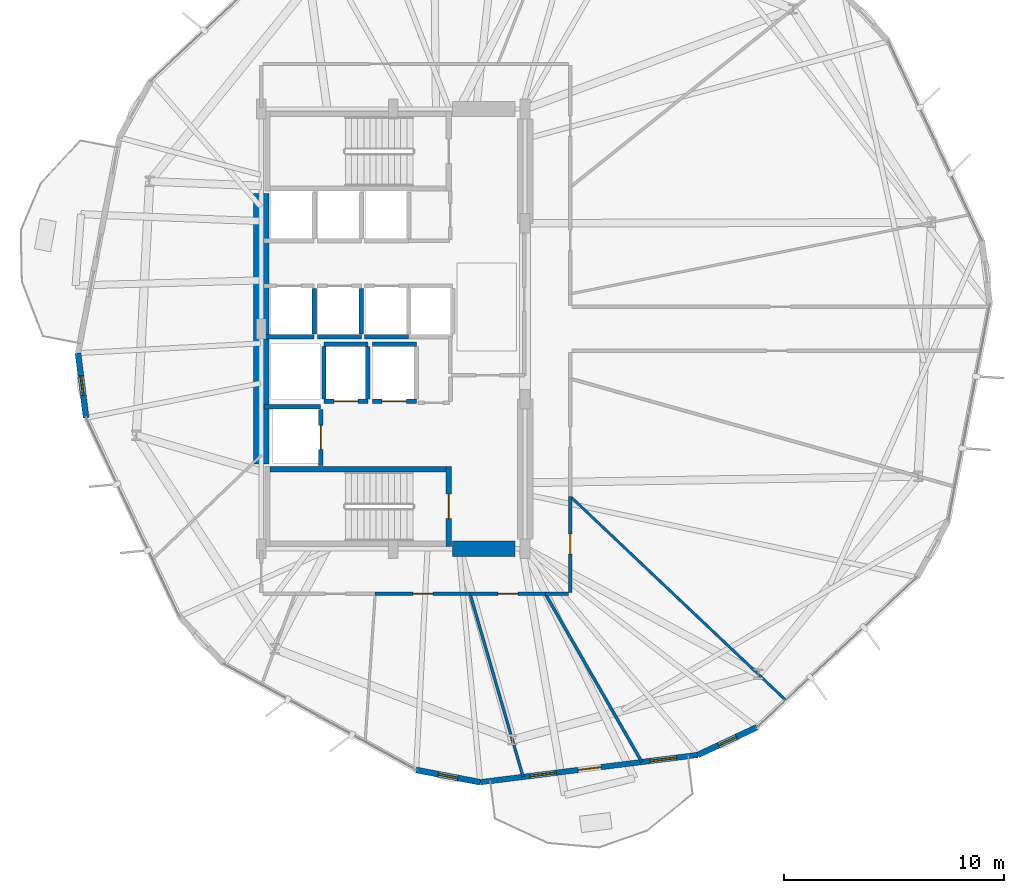
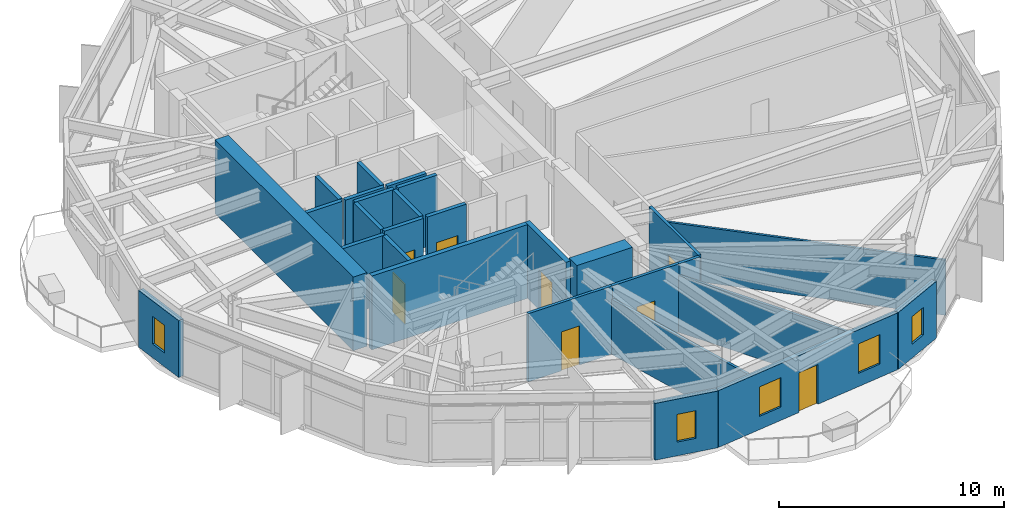
# One storey, part 16 of 22: 28 walls, 8 doors, 5 windows, 13 openings.
"""IFC4 building model written with IfcOpenShell, lengths in metres."""

from ifc_helpers import new_model, si_unit, direction, frame, frame_2d, origin, place, context, subcontext, project, spatial, rectangle, extrude, material, layer, layer_set, type_object, element, fill, save


model = new_model("IFC4")

# Units and contexts
model_context = context("Model", 3, precision=1e-05, world=origin(), true_north=direction((0.0, 1.0)))
body_context = subcontext(model_context, "Body", "Model", "MODEL_VIEW")
ifc_project = project(units=[si_unit("LENGTHUNIT", "METRE"), si_unit("AREAUNIT", "SQUARE_METRE"), si_unit("VOLUMEUNIT", "CUBIC_METRE"), si_unit("PLANEANGLEUNIT", "RADIAN"), si_unit("MASSUNIT", "GRAM", prefix="KILO")], contexts=[model_context])

# Site, building, storey
site_placement = place(None, origin())
site = spatial("IfcSite", under=ifc_project, at=site_placement, CompositionType="ELEMENT")
building_placement = place(site_placement, origin())
building = spatial("IfcBuilding", under=site, at=building_placement, Name="Soratama Intermodal Tower", CompositionType="ELEMENT")
storey_placement = place(building_placement, frame((0.0, 0.0, 54.60009765625)))
storey = spatial("IfcBuildingStorey", under=building, at=storey_placement, Name="L12", CompositionType="ELEMENT", Elevation=54.60009765625)

# Wall, openings, door, windows
ifc_material_1 = material(Name="Concrete f'c 42 MPa", Category="concrete")
ifc_layer_1 = layer(ifc_material_1, 0.25)
ifc_layer_set_1 = layer_set([ifc_layer_1], Name="Concrete f'c 42 MPa")
wall_type_1 = type_object("IfcWallType", Name="EW-BAL-250", PredefinedType="SOLIDWALL", material=ifc_layer_set_1)
wall_1_placement = place(storey_placement, frame((42.554443359375, 4.3798828125, 0.0), z_axis=(0.0, 0.0, 1.0), x_axis=(0.992243587308, 0.124308742439, 0.0)))
wall_1 = element("IfcWall", 1, at=wall_1_placement, inside=storey, type_object=wall_type_1, Name="L12 Terrace Wall F08", PredefinedType="SOLIDWALL", context=body_context, shape_type="SweptSolid", body=[
    extrude(rectangle(XDim=9.97900390625, YDim=0.25, at=frame_2d((4.989501953125, 0.0))), origin(), (0.0, 0.0, 1.0), 3.078857421875),
])
opening_1_placement = place(wall_1_placement, frame((4.489501953125, 0.0, 0.0)))
opening_1 = element("IfcOpeningElement", 2, at=opening_1_placement, cuts=wall_1, Name="Opening ED-5", PredefinedType="OPENING", context=body_context, shape_type="SweptSolid", body=[
    extrude(rectangle(XDim=1.050048828125, YDim=2.14990234375, at=frame_2d((0.52490234375, 1.074951171875))), frame((0.0, 0.135009765625, 0.0), z_axis=(0.0, -1.0, 0.0), x_axis=(1.0, 0.0, 0.0)), (0.0, 0.0, 1.0), 0.27001953125),
])
opening_2_placement = place(wall_1_placement, frame((2.28125, 0.0, 0.719970703125)))
opening_2 = element("IfcOpeningElement", 3, at=opening_2_placement, cuts=wall_1, Name="Opening WN-2", PredefinedType="OPENING", context=body_context, shape_type="SweptSolid", body=[
    extrude(rectangle(XDim=1.199951171875, YDim=1.60009765625, at=frame_2d((0.60009765625, 0.800048828125))), frame((0.0, 0.135009765625, 0.0), z_axis=(0.0, -1.0, 0.0), x_axis=(1.0, 0.0, 0.0)), (0.0, 0.0, 1.0), 0.27001953125),
])
opening_3_placement = place(wall_1_placement, frame((7.799072265625, 0.0, 0.719970703125)))
opening_3 = element("IfcOpeningElement", 4, at=opening_3_placement, cuts=wall_1, Name="Opening WN-2", PredefinedType="OPENING", context=body_context, shape_type="SweptSolid", body=[
    extrude(rectangle(XDim=1.199951171875, YDim=1.60009765625, at=frame_2d((0.60009765625, 0.800048828125))), frame((0.0, 0.135009765625, 0.0), z_axis=(0.0, -1.0, 0.0), x_axis=(1.0, 0.0, 0.0)), (0.0, 0.0, 1.0), 0.27001953125),
])
ifc_material_2 = material(Name="Double-glazed aluminium door", Category="aluminium")
door_type_1 = type_object("IfcDoorType", Name="DR-BAL-1050", OperationType="NOTDEFINED", PredefinedType="DOOR", material=ifc_material_2)
door_1_placement = place(opening_1_placement, origin())
door_1 = element("IfcDoor", 5, at=door_1_placement, inside=storey, type_object=door_type_1, Name="L12 Balcony Door F08", OperationType="SINGLE_SWING_RIGHT", OverallHeight=2.14990234375, OverallWidth=1.050048828125, PredefinedType="DOOR", context=body_context, shape_type="SweptSolid", body=[
    extrude(rectangle(XDim=1.050048828125, YDim=2.14990234375, at=frame_2d((0.52490234375, 1.074951171875))), frame((0.0, 0.02490234375, 0.0), z_axis=(0.0, -1.0, 0.0), x_axis=(1.0, 0.0, 0.0)), (0.0, 0.0, 1.0), 0.050048828125),
])
fill(opening_1, door_1)
ifc_material_3 = material(Name="Double-glazed aluminium window", Category="aluminium")
window_type_1 = type_object("IfcWindowType", Name="WN-FAC-1200", PartitioningType="SINGLE_PANEL", PredefinedType="WINDOW", material=ifc_material_3)
window_1_placement = place(opening_2_placement, origin())
window_1 = element("IfcWindow", 6, at=window_1_placement, inside=storey, type_object=window_type_1, Name="L12 Window A F08", OverallHeight=1.60009765625, OverallWidth=1.199951171875, PartitioningType="SINGLE_PANEL", PredefinedType="WINDOW", context=body_context, shape_type="SweptSolid", body=[
    extrude(rectangle(XDim=1.199951171875, YDim=1.60009765625, at=frame_2d((0.60009765625, 0.800048828125))), frame((0.0, 0.030029296875, 0.0), z_axis=(0.0, -1.0, 0.0), x_axis=(1.0, 0.0, 0.0)), (0.0, 0.0, 1.0), 0.06005859375),
])
fill(opening_2, window_1)
window_2_placement = place(opening_3_placement, origin())
window_2 = element("IfcWindow", 7, at=window_2_placement, inside=storey, type_object=window_type_1, Name="L12 Window B F08", OverallHeight=1.60009765625, OverallWidth=1.199951171875, PartitioningType="SINGLE_PANEL", PredefinedType="WINDOW", context=body_context, shape_type="SweptSolid", body=[
    extrude(rectangle(XDim=1.199951171875, YDim=1.60009765625, at=frame_2d((0.60009765625, 0.800048828125))), frame((0.0, 0.030029296875, 0.0), z_axis=(0.0, -1.0, 0.0), x_axis=(1.0, 0.0, 0.0)), (0.0, 0.0, 1.0), 0.06005859375),
])
fill(opening_3, window_2)

# Wall, opening, window
ifc_material_4 = material(Name="Concrete f'c 42 MPa", Category="concrete")
ifc_layer_2 = layer(ifc_material_4, 0.27001953125)
ifc_layer_set_2 = layer_set([ifc_layer_2], Name="Concrete f'c 42 MPa")
wall_type_2 = type_object("IfcWallType", Name="EW-CRN-270", PredefinedType="SOLIDWALL", material=ifc_layer_set_2)
wall_2_placement = place(storey_placement, frame((24.2646484375, 23.8974609375, 0.0), z_axis=(0.0, 0.0, 1.0), x_axis=(0.124267693531, -0.992248729072, 0.0)))
wall_2 = element("IfcWall", 8, at=wall_2_placement, inside=storey, type_object=wall_type_2, Name="L12 Corner Closure Wall 05", PredefinedType="SOLIDWALL", context=body_context, shape_type="SweptSolid", body=[
    extrude(rectangle(XDim=2.966552734375, YDim=0.27001953125, at=frame_2d((1.4833984375, 0.0))), origin(), (0.0, 0.0, 1.0), 3.078857421875),
])
opening_4_placement = place(wall_2_placement, frame((1.033203125, 0.0, 0.75)))
opening_4 = element("IfcOpeningElement", 9, at=opening_4_placement, cuts=wall_2, Name="Opening WN-6", PredefinedType="OPENING", context=body_context, shape_type="SweptSolid", body=[
    extrude(rectangle(XDim=0.89990234375, YDim=1.5, at=frame_2d((0.449951171875, 0.75))), frame((0.0, 0.14501953125, 0.0), z_axis=(0.0, -1.0, 0.0), x_axis=(1.0, 0.0, 0.0)), (0.0, 0.0, 1.0), 0.2900390625),
])
ifc_material_5 = material(Name="Double-glazed aluminium window", Category="aluminium")
window_type_2 = type_object("IfcWindowType", Name="WN-FAC-900", PartitioningType="SINGLE_PANEL", PredefinedType="WINDOW", material=ifc_material_5)
window_3_placement = place(opening_4_placement, origin())
window_3 = element("IfcWindow", 10, at=window_3_placement, inside=storey, type_object=window_type_2, Name="L12 Corner Window 05", OverallHeight=1.5, OverallWidth=0.89990234375, PartitioningType="SINGLE_PANEL", PredefinedType="WINDOW", context=body_context, shape_type="SweptSolid", body=[
    extrude(rectangle(XDim=0.89990234375, YDim=1.5, at=frame_2d((0.449951171875, 0.75))), frame((0.0, 0.030029296875, 0.0), z_axis=(0.0, -1.0, 0.0), x_axis=(1.0, 0.0, 0.0)), (0.0, 0.0, 1.0), 0.06005859375),
])
fill(opening_4, window_3)

wall_3_placement = place(storey_placement, frame((39.64111328125, 4.938720703125, 0.0), z_axis=(0.0, 0.0, 1.0), x_axis=(0.982094979425, -0.188386441624, 0.0)))
wall_3 = element("IfcWall", 11, at=wall_3_placement, inside=storey, type_object=wall_type_2, Name="L12 Corner Closure Wall 07", PredefinedType="SOLIDWALL", context=body_context, shape_type="SweptSolid", body=[
    extrude(rectangle(XDim=2.966552734375, YDim=0.27001953125, at=frame_2d((1.4833984375, 0.0))), origin(), (0.0, 0.0, 1.0), 3.078857421875),
])
opening_5_placement = place(wall_3_placement, frame((1.033203125, 0.0, 0.75)))
opening_5 = element("IfcOpeningElement", 12, at=opening_5_placement, cuts=wall_3, Name="Opening WN-6", PredefinedType="OPENING", context=body_context, shape_type="SweptSolid", body=[
    extrude(rectangle(XDim=0.89990234375, YDim=1.5, at=frame_2d((0.449951171875, 0.75))), frame((0.0, 0.14501953125, 0.0), z_axis=(0.0, -1.0, 0.0), x_axis=(1.0, 0.0, 0.0)), (0.0, 0.0, 1.0), 0.2900390625),
])
window_4_placement = place(opening_5_placement, origin())
window_4 = element("IfcWindow", 13, at=window_4_placement, inside=storey, type_object=window_type_2, Name="L12 Corner Window 07", OverallHeight=1.5, OverallWidth=0.89990234375, PartitioningType="SINGLE_PANEL", PredefinedType="WINDOW", context=body_context, shape_type="SweptSolid", body=[
    extrude(rectangle(XDim=0.89990234375, YDim=1.5, at=frame_2d((0.449951171875, 0.75))), frame((0.0, 0.030029296875, 0.0), z_axis=(0.0, -1.0, 0.0), x_axis=(1.0, 0.0, 0.0)), (0.0, 0.0, 1.0), 0.06005859375),
])
fill(opening_5, window_4)

wall_4_placement = place(storey_placement, frame((52.4560546875, 5.620361328125, 0.0), z_axis=(0.0, 0.0, 1.0), x_axis=(0.905276993573, 0.424821803711, 0.0)))
wall_4 = element("IfcWall", 14, at=wall_4_placement, inside=storey, type_object=wall_type_2, Name="L12 Corner Closure Wall 08", PredefinedType="SOLIDWALL", context=body_context, shape_type="SweptSolid", body=[
    extrude(rectangle(XDim=2.966552734375, YDim=0.27001953125, at=frame_2d((1.4833984375, 0.0))), origin(), (0.0, 0.0, 1.0), 3.078857421875),
])
opening_6_placement = place(wall_4_placement, frame((1.033203125, 0.0, 0.75)))
opening_6 = element("IfcOpeningElement", 15, at=opening_6_placement, cuts=wall_4, Name="Opening WN-6", PredefinedType="OPENING", context=body_context, shape_type="SweptSolid", body=[
    extrude(rectangle(XDim=0.89990234375, YDim=1.5, at=frame_2d((0.449951171875, 0.75))), frame((0.0, 0.14501953125, 0.0), z_axis=(0.0, -1.0, 0.0), x_axis=(1.0, 0.0, 0.0)), (0.0, 0.0, 1.0), 0.2900390625),
])
window_5_placement = place(opening_6_placement, origin())
window_5 = element("IfcWindow", 16, at=window_5_placement, inside=storey, type_object=window_type_2, Name="L12 Corner Window 08", OverallHeight=1.5, OverallWidth=0.89990234375, PartitioningType="SINGLE_PANEL", PredefinedType="WINDOW", context=body_context, shape_type="SweptSolid", body=[
    extrude(rectangle(XDim=0.89990234375, YDim=1.5, at=frame_2d((0.449951171875, 0.75))), frame((0.0, 0.030029296875, 0.0), z_axis=(0.0, -1.0, 0.0), x_axis=(1.0, 0.0, 0.0)), (0.0, 0.0, 1.0), 0.06005859375),
])
fill(opening_6, window_5)

# Wall, opening, door
ifc_material_6 = material(Name="Fire-rated gypsum stud partition", Category="concrete")
ifc_layer_3 = layer(ifc_material_6, 0.14990234375)
ifc_layer_set_3 = layer_set([ifc_layer_3], Name="Fire-rated gypsum stud partition")
wall_type_3 = type_object("IfcWallType", Name="IW-PART-R150", PredefinedType="PARTITIONING", material=ifc_layer_set_3)
wall_5_placement = place(storey_placement, frame((46.64990234375, 17.385009765625, 0.0), z_axis=(0.0, 0.0, 1.0), x_axis=(0.0, -1.0, 0.0)))
wall_5 = element("IfcWall", 17, at=wall_5_placement, inside=storey, type_object=wall_type_3, Name="L12 Partition W-L12-TP018", PredefinedType="PARTITIONING", context=body_context, shape_type="SweptSolid", body=[
    extrude(rectangle(XDim=4.364990234375, YDim=0.14990234375, at=frame_2d((2.1826171875, 0.0))), origin(), (0.0, 0.0, 1.0), 3.699951171875),
])
opening_7_placement = place(wall_5_placement, frame((1.7080078125, 0.0, 0.0)))
opening_7 = element("IfcOpeningElement", 18, at=opening_7_placement, cuts=wall_5, Name="Opening ID-6", PredefinedType="OPENING", context=body_context, shape_type="SweptSolid", body=[
    extrude(rectangle(XDim=0.919921875, YDim=2.1201171875, at=frame_2d((0.4599609375, 1.06005859375))), frame((0.0, 0.0849609375, 0.0), z_axis=(0.0, -1.0, 0.0), x_axis=(1.0, 0.0, 0.0)), (0.0, 0.0, 1.0), 0.169921875),
])
ifc_material_7 = material(Name="Solid hardwood acoustic door", Category="wood")
door_type_2 = type_object("IfcDoorType", Name="DR-ROOM-920", OperationType="NOTDEFINED", PredefinedType="DOOR", material=ifc_material_7)
door_2_placement = place(opening_7_placement, origin())
door_2 = element("IfcDoor", 19, at=door_2_placement, inside=storey, type_object=door_type_2, Name="L12 Door D-L12-TP008", OperationType="SINGLE_SWING_LEFT", OverallHeight=2.1201171875, OverallWidth=0.919921875, PredefinedType="DOOR", context=body_context, shape_type="SweptSolid", body=[
    extrude(rectangle(XDim=0.919921875, YDim=2.1201171875, at=frame_2d((0.4599609375, 1.06005859375))), frame((0.0, 0.02490234375, 0.0), z_axis=(0.0, -1.0, 0.0), x_axis=(1.0, 0.0, 0.0)), (0.0, 0.0, 1.0), 0.050048828125),
])
fill(opening_7, door_2)

wall_6_placement = place(storey_placement, frame((42.093994140625, 12.949951171875, 0.0), z_axis=(0.0, 0.0, 1.0), x_axis=(-1.0, 0.0, 0.0)))
wall_6 = element("IfcWall", 20, at=wall_6_placement, inside=storey, type_object=wall_type_3, Name="L12 Partition W-L12-TP019", PredefinedType="PARTITIONING", context=body_context, shape_type="SweptSolid", body=[
    extrude(rectangle(XDim=4.31298828125, YDim=0.14990234375, at=frame_2d((2.156494140625, 0.0))), origin(), (0.0, 0.0, 1.0), 3.699951171875),
])
opening_8_placement = place(wall_6_placement, frame((1.681884765625, 0.0, 0.0)))
opening_8 = element("IfcOpeningElement", 21, at=opening_8_placement, cuts=wall_6, Name="Opening ID-6", PredefinedType="OPENING", context=body_context, shape_type="SweptSolid", body=[
    extrude(rectangle(XDim=0.919921875, YDim=2.1201171875, at=frame_2d((0.4599609375, 1.06005859375))), frame((0.0, 0.0849609375, 0.0), z_axis=(0.0, -1.0, 0.0), x_axis=(1.0, 0.0, 0.0)), (0.0, 0.0, 1.0), 0.169921875),
])
door_3_placement = place(opening_8_placement, origin())
door_3 = element("IfcDoor", 22, at=door_3_placement, inside=storey, type_object=door_type_2, Name="L12 Door D-L12-TP009", OperationType="SINGLE_SWING_RIGHT", OverallHeight=2.1201171875, OverallWidth=0.919921875, PredefinedType="DOOR", context=body_context, shape_type="SweptSolid", body=[
    extrude(rectangle(XDim=0.919921875, YDim=2.1201171875, at=frame_2d((0.4599609375, 1.06005859375))), frame((0.0, 0.02490234375, 0.0), z_axis=(0.0, -1.0, 0.0), x_axis=(1.0, 0.0, 0.0)), (0.0, 0.0, 1.0), 0.050048828125),
])
fill(opening_8, door_3)

wall_7_placement = place(storey_placement, frame((45.51708984375, 12.949951171875, 0.0), z_axis=(0.0, 0.0, 1.0), x_axis=(-1.0, 0.0, 0.0)))
wall_7 = element("IfcWall", 23, at=wall_7_placement, inside=storey, type_object=wall_type_3, Name="L12 Partition W-L12-TP021", PredefinedType="PARTITIONING", context=body_context, shape_type="SweptSolid", body=[
    extrude(rectangle(XDim=3.423095703125, YDim=0.14990234375, at=frame_2d((1.71142578125, 0.0))), origin(), (0.0, 0.0, 1.0), 3.699951171875),
])
opening_9_placement = place(wall_7_placement, frame((1.237060546875, 0.0, 0.0)))
opening_9 = element("IfcOpeningElement", 24, at=opening_9_placement, cuts=wall_7, Name="Opening ID-6", PredefinedType="OPENING", context=body_context, shape_type="SweptSolid", body=[
    extrude(rectangle(XDim=0.919921875, YDim=2.1201171875, at=frame_2d((0.4599609375, 1.06005859375))), frame((0.0, 0.0849609375, 0.0), z_axis=(0.0, -1.0, 0.0), x_axis=(1.0, 0.0, 0.0)), (0.0, 0.0, 1.0), 0.169921875),
])
door_4_placement = place(opening_9_placement, origin())
door_4 = element("IfcDoor", 25, at=door_4_placement, inside=storey, type_object=door_type_2, Name="L12 Door D-L12-TP011", OperationType="SINGLE_SWING_RIGHT", OverallHeight=2.1201171875, OverallWidth=0.919921875, PredefinedType="DOOR", context=body_context, shape_type="SweptSolid", body=[
    extrude(rectangle(XDim=0.919921875, YDim=2.1201171875, at=frame_2d((0.4599609375, 1.06005859375))), frame((0.0, 0.02490234375, 0.0), z_axis=(0.0, -1.0, 0.0), x_axis=(1.0, 0.0, 0.0)), (0.0, 0.0, 1.0), 0.050048828125),
])
fill(opening_9, door_4)

# Walls
wall_8_placement = place(storey_placement, frame((46.580078125, 12.949951171875, 0.0), z_axis=(0.0, 0.0, 1.0), x_axis=(-1.0, 0.0, 0.0)))
element("IfcWall", 26, at=wall_8_placement, inside=storey, type_object=wall_type_3, Name="L12 Partition W-L12-TP033", PredefinedType="PARTITIONING", context=body_context, shape_type="SweptSolid", body=[
    extrude(rectangle(XDim=1.06298828125, YDim=0.14990234375, at=frame_2d((0.531494140625, 0.0))), origin(), (0.0, 0.0, 1.0), 3.699951171875),
])
ifc_material_8 = material(Name="Fire-rated gypsum stud partition", Category="concrete")
ifc_layer_4 = layer(ifc_material_8, 0.1201171875)
ifc_layer_set_4 = layer_set([ifc_layer_4], Name="Fire-rated gypsum stud partition")
wall_type_4 = type_object("IfcWallType", Name="IW-PART-S120", PredefinedType="PARTITIONING", material=ifc_layer_set_4)
wall_9_placement = place(storey_placement, frame((46.64990234375, 17.385009765625, 0.0), z_axis=(0.0, 0.0, 1.0), x_axis=(0.726444008724, -0.687225655945, 0.0)))
element("IfcWall", 27, at=wall_9_placement, inside=storey, type_object=wall_type_4, Name="L12 Partition W-L12-TP006", PredefinedType="PARTITIONING", context=body_context, shape_type="SweptSolid", body=[
    extrude(rectangle(XDim=13.49609375, YDim=0.1201171875, at=frame_2d((6.748046875, 0.0))), origin(), (0.0, 0.0, 1.0), 2.994873046875),
])
ifc_material_9 = material(Name="Fire-rated gypsum stud partition", Category="concrete")
ifc_layer_5 = layer(ifc_material_9, 0.1298828125)
ifc_layer_set_5 = layer_set([ifc_layer_5], Name="Fire-rated gypsum stud partition")
wall_type_5 = type_object("IfcWallType", Name="IW-PART-S130", PredefinedType="PARTITIONING", material=ifc_layer_set_5)
wall_10_placement = place(storey_placement, frame((42.093994140625, 12.949951171875, 0.0), z_axis=(0.0, 0.0, 1.0), x_axis=(0.278506003646, -0.960434488101, 0.0)))
element("IfcWall", 28, at=wall_10_placement, inside=storey, type_object=wall_type_5, Name="L12 Partition W-L12-TP010", PredefinedType="PARTITIONING", context=body_context, shape_type="SweptSolid", body=[
    extrude(rectangle(XDim=8.66796875, YDim=0.1298828125, at=frame_2d((4.333984375, 0.0))), origin(), (0.0, 0.0, 1.0), 2.994873046875),
])
ifc_material_10 = material(Name="Fire-rated gypsum stud partition", Category="concrete")
ifc_layer_6 = layer(ifc_material_10, 0.139892578125)
ifc_layer_set_6 = layer_set([ifc_layer_6], Name="Fire-rated gypsum stud partition")
wall_type_6 = type_object("IfcWallType", Name="IW-PART-S140", PredefinedType="PARTITIONING", material=ifc_layer_set_6)
wall_11_placement = place(storey_placement, frame((45.51708984375, 12.949951171875, 0.0), z_axis=(0.0, 0.0, 1.0), x_axis=(0.497852096221, -0.867261950214, 0.0)))
element("IfcWall", 29, at=wall_11_placement, inside=storey, type_object=wall_type_6, Name="L12 Partition W-L12-TP009", PredefinedType="PARTITIONING", context=body_context, shape_type="SweptSolid", body=[
    extrude(rectangle(XDim=8.819580078125, YDim=0.139892578125, at=frame_2d((4.40966796875, 0.0))), origin(), (0.0, 0.0, 1.0), 3.073974609375),
])

# Wall, opening, door
ifc_material_11 = material(Name="Concrete f'c 42 MPa", Category="concrete")
ifc_layer_7 = layer(ifc_material_11, 0.199951171875)
ifc_layer_set_7 = layer_set([ifc_layer_7], Name="Concrete f'c 42 MPa")
wall_type_7 = type_object("IfcWallType", Name="IW-SHAFT-200", PredefinedType="SOLIDWALL", material=ifc_layer_set_7)
wall_12_placement = place(storey_placement, frame((35.449951171875, 21.699951171875, 0.0), z_axis=(0.0, 0.0, 1.0), x_axis=(1.0, 0.0, 0.0)))
wall_12 = element("IfcWall", 30, at=wall_12_placement, inside=storey, type_object=wall_type_7, Name="L12 FFL-1 Hoistway Wall S", PredefinedType="SOLIDWALL", context=body_context, shape_type="SweptSolid", body=[
    extrude(rectangle(XDim=2.0, YDim=0.199951171875, at=frame_2d((1.0, 0.0))), origin(), (0.0, 0.0, 1.0), 3.699951171875),
])
opening_10_placement = place(wall_12_placement, frame((0.449951171875, 0.0, 0.0)))
opening_10 = element("IfcOpeningElement", 31, at=opening_10_placement, cuts=wall_12, Name="Opening LD-1", PredefinedType="OPENING", context=body_context, shape_type="SweptSolid", body=[
    extrude(rectangle(XDim=1.10009765625, YDim=2.14990234375, at=frame_2d((0.550048828125, 1.074951171875))), frame((0.0, 0.10986328125, 0.0), z_axis=(0.0, -1.0, 0.0), x_axis=(1.0, 0.0, 0.0)), (0.0, 0.0, 1.0), 0.219970703125),
])
ifc_material_12 = material(Name="Steel fire door", Category="steel")
door_type_3 = type_object("IfcDoorType", Name="DR-LIFT-SLIDE", OperationType="NOTDEFINED", PredefinedType="DOOR", material=ifc_material_12)
door_5_placement = place(opening_10_placement, origin())
door_5 = element("IfcDoor", 32, at=door_5_placement, inside=storey, type_object=door_type_3, Name="L12 FFL-1 Sliding Landing Door", OperationType="SLIDING_TO_LEFT", OverallHeight=2.14990234375, OverallWidth=1.10009765625, PredefinedType="DOOR", context=body_context, shape_type="SweptSolid", body=[
    extrude(rectangle(XDim=1.10009765625, YDim=2.14990234375, at=frame_2d((0.550048828125, 1.074951171875))), frame((0.0, 0.02490234375, 0.0), z_axis=(0.0, -1.0, 0.0), x_axis=(1.0, 0.0, 0.0)), (0.0, 0.0, 1.0), 0.050048828125),
])
fill(opening_10, door_5)

# Walls
wall_13_placement = place(storey_placement, frame((35.449951171875, 24.300048828125, 0.0), z_axis=(0.0, 0.0, 1.0), x_axis=(1.0, 0.0, 0.0)))
element("IfcWall", 33, at=wall_13_placement, inside=storey, type_object=wall_type_7, Name="L12 FFL-1 Hoistway Wall N", PredefinedType="SOLIDWALL", context=body_context, shape_type="SweptSolid", body=[
    extrude(rectangle(XDim=2.0, YDim=0.199951171875, at=frame_2d((1.0, 0.0))), origin(), (0.0, 0.0, 1.0), 3.699951171875),
])
for number, where, z_axis, x_axis, name in (
    (34, (35.449951171875, 21.81005859375, 0.0), (0.0, 0.0, 1.0), (0.0, 1.0, 0.0), "L12 FFL-1 Hoistway Wall W"),
    (35, (37.449951171875, 21.81005859375, 0.0), (0.0, 0.0, 1.0), (0.0, 1.0, 0.0), "L12 FFL-1 Hoistway Wall E"),
):
    element("IfcWall", number, at=place(storey_placement, frame(where, z_axis=z_axis, x_axis=x_axis)), inside=storey, type_object=wall_type_7, Name=name, PredefinedType="SOLIDWALL", context=body_context, shape_type="SweptSolid", body=[
        extrude(rectangle(XDim=2.3798828125, YDim=0.199951171875, at=frame_2d((1.18994140625, 0.0))), origin(), (0.0, 0.0, 1.0), 3.699951171875),
    ])

# Wall, opening, door
wall_14_placement = place(storey_placement, frame((37.64990234375, 21.699951171875, 0.0), z_axis=(0.0, 0.0, 1.0), x_axis=(1.0, 0.0, 0.0)))
wall_14 = element("IfcWall", 36, at=wall_14_placement, inside=storey, type_object=wall_type_7, Name="L12 FFL-2 Hoistway Wall S", PredefinedType="SOLIDWALL", context=body_context, shape_type="SweptSolid", body=[
    extrude(rectangle(XDim=2.0, YDim=0.199951171875, at=frame_2d((1.0, 0.0))), origin(), (0.0, 0.0, 1.0), 3.699951171875),
])
opening_11_placement = place(wall_14_placement, frame((0.449951171875, 0.0, 0.0)))
opening_11 = element("IfcOpeningElement", 37, at=opening_11_placement, cuts=wall_14, Name="Opening LD-1", PredefinedType="OPENING", context=body_context, shape_type="SweptSolid", body=[
    extrude(rectangle(XDim=1.10009765625, YDim=2.14990234375, at=frame_2d((0.550048828125, 1.074951171875))), frame((0.0, 0.10986328125, 0.0), z_axis=(0.0, -1.0, 0.0), x_axis=(1.0, 0.0, 0.0)), (0.0, 0.0, 1.0), 0.219970703125),
])
door_6_placement = place(opening_11_placement, origin())
door_6 = element("IfcDoor", 38, at=door_6_placement, inside=storey, type_object=door_type_3, Name="L12 FFL-2 Sliding Landing Door", OperationType="SLIDING_TO_LEFT", OverallHeight=2.14990234375, OverallWidth=1.10009765625, PredefinedType="DOOR", context=body_context, shape_type="SweptSolid", body=[
    extrude(rectangle(XDim=1.10009765625, YDim=2.14990234375, at=frame_2d((0.550048828125, 1.074951171875))), frame((0.0, 0.02490234375, 0.0), z_axis=(0.0, -1.0, 0.0), x_axis=(1.0, 0.0, 0.0)), (0.0, 0.0, 1.0), 0.050048828125),
])
fill(opening_11, door_6)

# Walls
wall_15_placement = place(storey_placement, frame((37.64990234375, 24.300048828125, 0.0), z_axis=(0.0, 0.0, 1.0), x_axis=(1.0, 0.0, 0.0)))
element("IfcWall", 39, at=wall_15_placement, inside=storey, type_object=wall_type_7, Name="L12 FFL-2 Hoistway Wall N", PredefinedType="SOLIDWALL", context=body_context, shape_type="SweptSolid", body=[
    extrude(rectangle(XDim=2.0, YDim=0.199951171875, at=frame_2d((1.0, 0.0))), origin(), (0.0, 0.0, 1.0), 3.699951171875),
])
wall_16_placement = place(storey_placement, frame((32.719970703125, 21.449951171875, 0.0), z_axis=(0.0, 0.0, 1.0), x_axis=(1.0, 0.0, 0.0)))
element("IfcWall", 40, at=wall_16_placement, inside=storey, type_object=wall_type_7, Name="L12 SVL-1 Hoistway Wall N", PredefinedType="SOLIDWALL", context=body_context, shape_type="SweptSolid", body=[
    extrude(rectangle(XDim=2.580078125, YDim=0.199951171875, at=frame_2d((1.2900390625, 0.0))), origin(), (0.0, 0.0, 1.0), 3.699951171875),
])

# Wall, opening, door
wall_17_placement = place(storey_placement, frame((35.300048828125, 18.7900390625, 0.0), z_axis=(0.0, 0.0, 1.0), x_axis=(0.0, 1.0, 0.0)))
wall_17 = element("IfcWall", 41, at=wall_17_placement, inside=storey, type_object=wall_type_7, Name="L12 SVL-1 Hoistway Wall E", PredefinedType="SOLIDWALL", context=body_context, shape_type="SweptSolid", body=[
    extrude(rectangle(XDim=2.550048828125, YDim=0.199951171875, at=frame_2d((1.27490234375, 0.0))), origin(), (0.0, 0.0, 1.0), 3.699951171875),
])
opening_12_placement = place(wall_17_placement, frame((0.72509765625, 0.0, 0.0)))
opening_12 = element("IfcOpeningElement", 42, at=opening_12_placement, cuts=wall_17, Name="Opening LD-1", PredefinedType="OPENING", context=body_context, shape_type="SweptSolid", body=[
    extrude(rectangle(XDim=1.10009765625, YDim=2.14990234375, at=frame_2d((0.550048828125, 1.074951171875))), frame((0.0, 0.10986328125, 0.0), z_axis=(0.0, -1.0, 0.0), x_axis=(1.0, 0.0, 0.0)), (0.0, 0.0, 1.0), 0.219970703125),
])
door_7_placement = place(opening_12_placement, origin())
door_7 = element("IfcDoor", 43, at=door_7_placement, inside=storey, type_object=door_type_3, Name="L12 SVL-1 Sliding Landing Door", OperationType="SLIDING_TO_LEFT", OverallHeight=2.14990234375, OverallWidth=1.10009765625, PredefinedType="DOOR", context=body_context, shape_type="SweptSolid", body=[
    extrude(rectangle(XDim=1.10009765625, YDim=2.14990234375, at=frame_2d((0.550048828125, 1.074951171875))), frame((0.0, 0.02490234375, 0.0), z_axis=(0.0, -1.0, 0.0), x_axis=(1.0, 0.0, 0.0)), (0.0, 0.0, 1.0), 0.050048828125),
])
fill(opening_12, door_7)

# Walls
wall_18_placement = place(storey_placement, frame((32.719970703125, 24.64990234375, 0.0), z_axis=(0.0, 0.0, 1.0), x_axis=(1.0, 0.0, 0.0)))
element("IfcWall", 44, at=wall_18_placement, inside=storey, type_object=wall_type_7, Name="L12 PL-L1 Hoistway Wall S", PredefinedType="SOLIDWALL", context=body_context, shape_type="SweptSolid", body=[
    extrude(rectangle(XDim=2.280029296875, YDim=0.199951171875, at=frame_2d((1.14013671875, 0.0))), origin(), (0.0, 0.0, 1.0), 3.699951171875),
])
wall_19_placement = place(storey_placement, frame((35.0, 24.760009765625, 0.0), z_axis=(0.0, 0.0, 1.0), x_axis=(0.0, 1.0, 0.0)))
element("IfcWall", 45, at=wall_19_placement, inside=storey, type_object=wall_type_7, Name="L12 PL-L1 Hoistway Wall E", PredefinedType="SOLIDWALL", context=body_context, shape_type="SweptSolid", body=[
    extrude(rectangle(XDim=2.080078125, YDim=0.199951171875, at=frame_2d((1.0400390625, 0.0))), origin(), (0.0, 0.0, 1.0), 3.699951171875),
])
wall_20_placement = place(storey_placement, frame((35.14990234375, 24.64990234375, 0.0), z_axis=(0.0, 0.0, 1.0), x_axis=(1.0, 0.0, 0.0)))
element("IfcWall", 46, at=wall_20_placement, inside=storey, type_object=wall_type_7, Name="L12 PL-L2 Hoistway Wall S", PredefinedType="SOLIDWALL", context=body_context, shape_type="SweptSolid", body=[
    extrude(rectangle(XDim=2.0, YDim=0.199951171875, at=frame_2d((1.0, 0.0))), origin(), (0.0, 0.0, 1.0), 3.699951171875),
])
wall_21_placement = place(storey_placement, frame((37.14990234375, 24.760009765625, 0.0), z_axis=(0.0, 0.0, 1.0), x_axis=(0.0, 1.0, 0.0)))
element("IfcWall", 47, at=wall_21_placement, inside=storey, type_object=wall_type_7, Name="L12 PL-L2 Hoistway Wall E", PredefinedType="SOLIDWALL", context=body_context, shape_type="SweptSolid", body=[
    extrude(rectangle(XDim=2.080078125, YDim=0.199951171875, at=frame_2d((1.0400390625, 0.0))), origin(), (0.0, 0.0, 1.0), 3.699951171875),
])
wall_22_placement = place(storey_placement, frame((37.300048828125, 24.64990234375, 0.0), z_axis=(0.0, 0.0, 1.0), x_axis=(1.0, 0.0, 0.0)))
element("IfcWall", 48, at=wall_22_placement, inside=storey, type_object=wall_type_7, Name="L12 PL-L3 Hoistway Wall S", PredefinedType="SOLIDWALL", context=body_context, shape_type="SweptSolid", body=[
    extrude(rectangle(XDim=2.0, YDim=0.199951171875, at=frame_2d((1.0, 0.0))), origin(), (0.0, 0.0, 1.0), 3.699951171875),
])
ifc_material_13 = material(Name="Concrete f'c 56 MPa", Category="concrete")
ifc_layer_8 = layer(ifc_material_13, 0.699951171875)
ifc_layer_set_8 = layer_set([ifc_layer_8], Name="Concrete f'c 56 MPa")
wall_type_8 = type_object("IfcWallType", Name="SW-CORE-700", PredefinedType="SHEAR", material=ifc_layer_set_8)
wall_23_placement = place(storey_placement, frame((32.60009765625, 18.85009765625, 0.0), z_axis=(0.0, 0.0, 1.0), x_axis=(0.0, 1.0, 0.0)))
element("IfcWall", 49, at=wall_23_placement, inside=storey, type_object=wall_type_8, Name="L12 Core Shear Wall CW-WMID", PredefinedType="SHEAR", context=body_context, shape_type="SweptSolid", body=[
    extrude(rectangle(XDim=12.2998046875, YDim=0.699951171875, at=frame_2d((6.14990234375, 0.0))), origin(), (0.0, 0.0, 1.0), 4.0),
])
wall_24_placement = place(storey_placement, frame((41.300048828125, 15.0, 0.0), z_axis=(0.0, 0.0, 1.0), x_axis=(1.0, 0.0, 0.0)))
element("IfcWall", 50, at=wall_24_placement, inside=storey, type_object=wall_type_8, Name="L12 Core Shear Wall CW-SE", PredefinedType="SHEAR", context=body_context, shape_type="SweptSolid", body=[
    extrude(rectangle(XDim=2.849853515625, YDim=0.699951171875, at=frame_2d((1.4248046875, 0.0))), origin(), (0.0, 0.0, 1.0), 4.0),
])

# Wall, opening, door
ifc_material_14 = material(Name="Concrete f'c 56 MPa", Category="concrete")
ifc_layer_9 = layer(ifc_material_14, 0.239990234375)
ifc_layer_set_9 = layer_set([ifc_layer_9], Name="Concrete f'c 56 MPa")
wall_type_9 = type_object("IfcWallType", Name="SW-STAIR-240", PredefinedType="SHEAR", material=ifc_layer_set_9)
wall_25_placement = place(storey_placement, frame((41.1201171875, 15.110107421875, 0.0), z_axis=(0.0, 0.0, 1.0), x_axis=(0.0, 1.0, 0.0)))
wall_25 = element("IfcWall", 51, at=wall_25_placement, inside=storey, type_object=wall_type_9, Name="L12 ST-1 Shaft Shear Wall E", PredefinedType="SHEAR", context=body_context, shape_type="SweptSolid", body=[
    extrude(rectangle(XDim=3.6298828125, YDim=0.239990234375, at=frame_2d((1.81494140625, 0.0))), origin(), (0.0, 0.0, 1.0), 4.0),
])
opening_13_placement = place(wall_25_placement, frame((1.2548828125, 0.0, 0.0)))
opening_13 = element("IfcOpeningElement", 52, at=opening_13_placement, cuts=wall_25, Name="Opening SD-1", PredefinedType="OPENING", context=body_context, shape_type="SweptSolid", body=[
    extrude(rectangle(XDim=1.1201171875, YDim=2.14990234375, at=frame_2d((0.56005859375, 1.074951171875))), frame((0.0, 0.1298828125, 0.0), z_axis=(0.0, -1.0, 0.0), x_axis=(1.0, 0.0, 0.0)), (0.0, 0.0, 1.0), 0.260009765625),
])
ifc_material_15 = material(Name="Steel fire door", Category="steel")
door_type_4 = type_object("IfcDoorType", Name="DR-STAIR-FD90", OperationType="NOTDEFINED", PredefinedType="DOOR", material=ifc_material_15)
door_8_placement = place(opening_13_placement, origin())
door_8 = element("IfcDoor", 53, at=door_8_placement, inside=storey, type_object=door_type_4, Name="L12 ST-1 Exit Stair Door", OperationType="SINGLE_SWING_LEFT", OverallHeight=2.14990234375, OverallWidth=1.1201171875, PredefinedType="DOOR", context=body_context, shape_type="SweptSolid", body=[
    extrude(rectangle(XDim=1.1201171875, YDim=2.14990234375, at=frame_2d((0.56005859375, 1.074951171875))), frame((0.0, 0.02490234375, 0.0), z_axis=(0.0, -1.0, 0.0), x_axis=(1.0, 0.0, 0.0)), (0.0, 0.0, 1.0), 0.050048828125),
])
fill(opening_13, door_8)

# Wall
wall_26_placement = place(storey_placement, frame((33.0, 18.6201171875, 0.0), z_axis=(0.0, 0.0, 1.0), x_axis=(1.0, 0.0, 0.0)))
element("IfcWall", 54, at=wall_26_placement, inside=storey, type_object=wall_type_9, Name="L12 ST-1 Shaft Shear Wall N", PredefinedType="SHEAR", context=body_context, shape_type="SweptSolid", body=[
    extrude(rectangle(XDim=8.0, YDim=0.239990234375, at=frame_2d((4.0, 0.0))), origin(), (0.0, 0.0, 1.0), 4.0),
])

save(model, "model.ifc")
